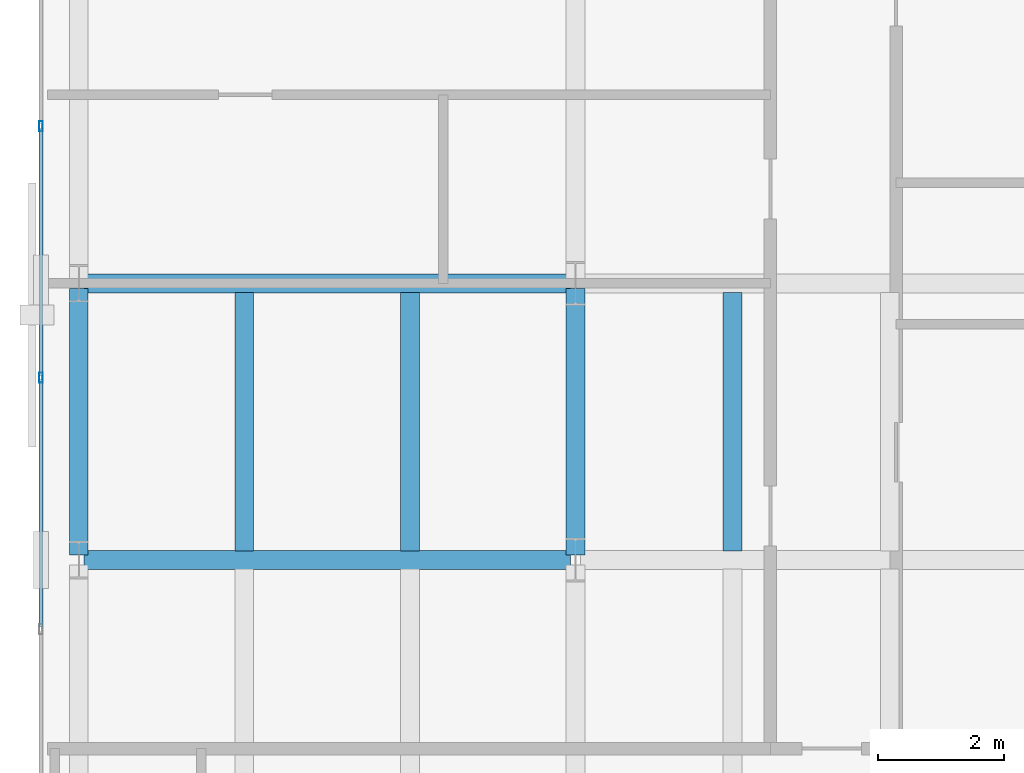
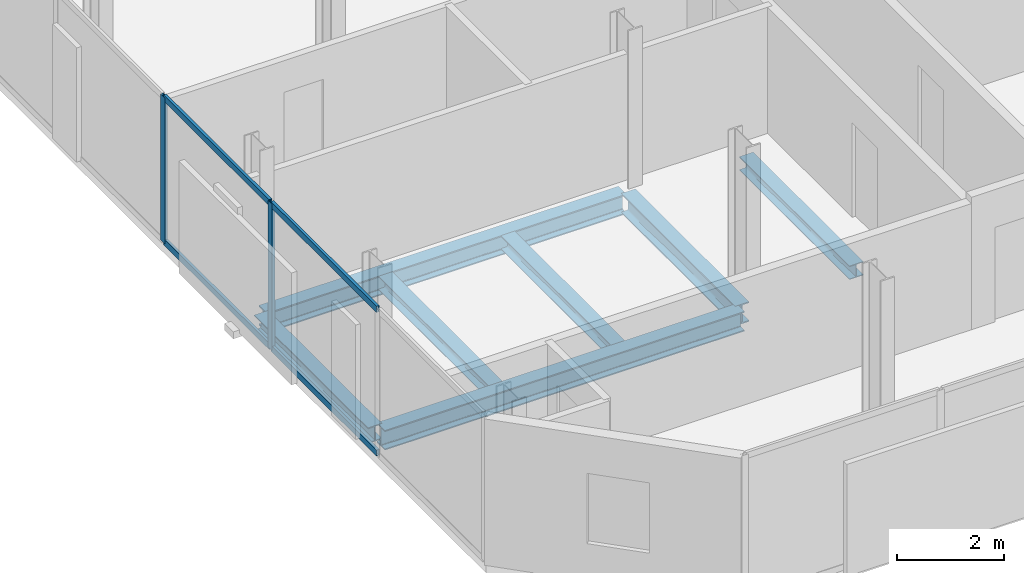
# One storey, part 5 of 33: 7 beams, 6 members, 1 element without a shape of its own.
"""IFC4 building model written with IfcOpenShell, lengths in metres."""

import ifcopenshell
import ifcopenshell.guid

model = None  # the IFC model being written
_history = None  # IfcOwnerHistory: only IFC2X3 demands one
_inside = {}  # id of a spatial element -> (the spatial element, [elements in it])
_under = {}  # id of a project, library or spatial element -> (it, [spatial elements below it])
_declared = {}  # id of a project -> (the project, [libraries it declares])
_typed = {}  # id of a type object -> (the type object, [elements of that type])
_made_of = {}  # id of a material, layer set ... -> (it, [elements and type objects made of it])


def new_model(schema):
    """Start an empty IFC model of exactly this schema.

    Asked for "IFC4X3", IfcOpenShell would pick the latest addendum, in which some entities
    have other attributes; the version numbers below select the first issue.
    IFC2X3 requires an IfcOwnerHistory on every rooted entity: one is made here for all.
    """
    global model, _history
    if schema == "IFC4X3":
        model = ifcopenshell.file(schema_version=(4, 3, 0, 0))
    else:
        model = ifcopenshell.file(schema=schema)
    _inside.clear()
    _under.clear()
    _declared.clear()
    _typed.clear()
    _made_of.clear()
    _history = None
    if model.schema == "IFC2X3":
        org = make("IfcOrganization", Name="unknown")
        user = make(
            "IfcPersonAndOrganization",
            ThePerson=make("IfcPerson", FamilyName="unknown"),
            TheOrganization=org,
        )
        app = make(
            "IfcApplication",
            ApplicationDeveloper=org,
            Version="unknown",
            ApplicationFullName="unknown",
            ApplicationIdentifier="unknown",
        )
        _history = make(
            "IfcOwnerHistory",
            OwningUser=user,
            OwningApplication=app,
            ChangeAction="ADDED",
            CreationDate=0,
        )
    return model


def make(cls, **values):
    """One entity of the class cls with the attributes given. An attribute that is None is left unset."""
    return model.create_entity(
        cls, **{name: value for name, value in values.items() if value is not None}
    )


def rooted(cls, **values):
    """An entity with a GlobalId (a new one), such as an element, a storey or a relation."""
    return make(cls, GlobalId=ifcopenshell.guid.new(), OwnerHistory=_history, **values)


def si_unit(unit_type, name, prefix=None):
    """IfcSIUnit, for example si_unit("LENGTHUNIT", "METRE", prefix="MILLI")."""
    return make("IfcSIUnit", UnitType=unit_type, Prefix=prefix, Name=name)


def assignment(units):
    """IfcUnitAssignment: the units of a project."""
    return None if units is None else make("IfcUnitAssignment", Units=units)


def point(xyz):
    """IfcCartesianPoint."""
    return None if xyz is None else make("IfcCartesianPoint", Coordinates=xyz)


def direction(xyz):
    """IfcDirection."""
    return None if xyz is None else make("IfcDirection", DirectionRatios=xyz)


def frame(location, z_axis=None, x_axis=None):
    """IfcAxis2Placement3D, a coordinate frame: its origin and axes. An axis left out is left unset."""
    return make(
        "IfcAxis2Placement3D",
        Location=point(location),
        Axis=direction(z_axis),
        RefDirection=direction(x_axis),
    )


def frame_2d(location, x_axis=None):
    """IfcAxis2Placement2D, a coordinate frame in the plane: its origin and x axis."""
    return make(
        "IfcAxis2Placement2D", Location=point(location), RefDirection=direction(x_axis)
    )


def origin():
    """The frame at (0, 0, 0) with its axes left unset."""
    return frame((0.0, 0.0, 0.0))


def origin_2d():
    """The frame at (0, 0) in the plane with its x axis left unset."""
    return frame_2d((0.0, 0.0))


def place(relative_to, where):
    """IfcLocalPlacement: puts the frame where relative to a parent placement (None: the world)."""
    return make(
        "IfcLocalPlacement", PlacementRelTo=relative_to, RelativePlacement=where
    )


def context(
    kind, dimensions, precision=None, world=None, true_north=None, identifier=None
):
    """IfcGeometricRepresentationContext, for example the 3D "Model" context."""
    return make(
        "IfcGeometricRepresentationContext",
        ContextIdentifier=identifier,
        ContextType=kind,
        CoordinateSpaceDimension=dimensions,
        Precision=precision,
        WorldCoordinateSystem=world,
        TrueNorth=true_north,
    )


def subcontext(parent, identifier, kind, view, scale=None):
    """IfcGeometricRepresentationSubContext, for example "Body" below "Model"."""
    return make(
        "IfcGeometricRepresentationSubContext",
        ContextIdentifier=identifier,
        ContextType=kind,
        ParentContext=parent,
        TargetScale=scale,
        TargetView=view,
    )


def project(units=None, contexts=None):
    """IfcProject with its units and contexts."""
    return rooted(
        "IfcProject",
        Name="project",
        RepresentationContexts=contexts,
        UnitsInContext=assignment(units),
    )


def spatial(cls, under=None, at=None, **own):
    """A site, building, storey or space (cls), placed at a placement, below another one or the project."""
    s = rooted(cls, ObjectPlacement=at, **own)
    if under is not None:
        _under.setdefault(under.id(), (under, []))[1].append(s)
    return s


def profile(cls, at=None, kind="AREA", **sizes):
    """A parametric profile (cls). Its sizes go by their IFC names, for example OverallWidth=200.0."""
    return make(cls, ProfileType=kind, Position=at, **sizes)


def hollow_rectangle(**sizes):
    """IfcRectangleHollowProfileDef."""
    return profile("IfcRectangleHollowProfileDef", **sizes)


def i_section(**sizes):
    """IfcIShapeProfileDef."""
    return profile("IfcIShapeProfileDef", **sizes)


def extrude(swept, where, along, depth):
    """IfcExtrudedAreaSolid: the profile swept, set in the frame where, extruded along a direction by depth."""
    return make(
        "IfcExtrudedAreaSolid",
        SweptArea=swept,
        Position=where,
        ExtrudedDirection=direction(along),
        Depth=depth,
    )


def shape(context_of_items, identifier, shape_type, items):
    """IfcShapeRepresentation: the items that make up one representation, for example the "Body"."""
    return make(
        "IfcShapeRepresentation",
        ContextOfItems=context_of_items,
        RepresentationIdentifier=identifier,
        RepresentationType=shape_type,
        Items=items,
    )


def material(Name=None, Category=None):
    """IfcMaterial."""
    return make("IfcMaterial", Name=Name, Category=Category)


def layer(
    of_material, thickness, ventilated=None, Name=None, Category=None, Priority=None
):
    """IfcMaterialLayer: one layer of a wall or slab, of a material (None: an air gap)."""
    return make(
        "IfcMaterialLayer",
        Material=of_material,
        LayerThickness=thickness,
        IsVentilated=ventilated,
        Name=Name,
        Category=Category,
        Priority=Priority,
    )


def layer_set(layers, Name=None):
    """IfcMaterialLayerSet."""
    return make("IfcMaterialLayerSet", MaterialLayers=layers, LayerSetName=Name)


def material_profile(
    of_material, cross_section, Name=None, Category=None, Priority=None
):
    """IfcMaterialProfile: a cross section and its material."""
    return make(
        "IfcMaterialProfile",
        Name=Name,
        Material=of_material,
        Profile=cross_section,
        Priority=Priority,
        Category=Category,
    )


def profile_set(profiles, Name=None, composite=None):
    """IfcMaterialProfileSet."""
    return make(
        "IfcMaterialProfileSet",
        Name=Name,
        MaterialProfiles=profiles,
        CompositeProfile=composite,
    )


def made_of(thing, what):
    """Note that an element or type object is made of a material, layer set ...; save() writes the relation."""
    if what is not None:
        _made_of.setdefault(what.id(), (what, []))[1].append(thing)
    return thing


def type_object(cls, material=None, **own):
    """A type object (cls), such as IfcWallType, which elements share."""
    return made_of(rooted(cls, **own), material)


def element(
    cls,
    number,
    at=None,
    inside=None,
    cuts=None,
    type_object=None,
    material=None,
    context=None,
    identifier="Body",
    shape_type=None,
    held_by="IfcProductDefinitionShape",
    body=None,
    shapes=None,
    **own,
):
    """One element of the class cls, such as IfcWall. Its Tag is "e" and its number.

    at: its placement. inside: the storey or other place that contains it. cuts: it is an
    opening in that element (IfcRelVoidsElement). A single representation is given by context,
    identifier, shape_type and body (its items); several are given by shapes. held_by: the class
    of the entity that holds the representations. save() writes the other relations.
    """
    e = rooted(cls, Tag="e%d" % number, ObjectPlacement=at, **own)
    if body is not None:
        shapes = [shape(context, identifier, shape_type, body)]
    if shapes is not None:
        e.Representation = make(held_by, Representations=shapes)
    if inside is not None:
        _inside.setdefault(inside.id(), (inside, []))[1].append(e)
    if cuts is not None:
        rooted(
            "IfcRelVoidsElement", RelatingBuildingElement=cuts, RelatedOpeningElement=e
        )
    if type_object is not None:
        _typed.setdefault(type_object.id(), (type_object, []))[1].append(e)
    return made_of(e, material)


def aggregate(whole, parts):
    """IfcRelAggregates: a whole, such as a stair, and the parts it consists of."""
    return rooted("IfcRelAggregates", RelatingObject=whole, RelatedObjects=parts)


def save(model, path):
    """Write the relations noted so far, then the file.

    IfcRelAggregates (storeys below a building ...), IfcRelContainedInSpatialStructure (elements
    in a storey), IfcRelDefinesByType, IfcRelAssociatesMaterial and IfcRelDeclares: one each for
    every whole, place, type object, material and project.
    """
    for whole, parts in _under.values():
        aggregate(whole, parts)
    for where, things in _inside.values():
        rooted(
            "IfcRelContainedInSpatialStructure",
            RelatedElements=things,
            RelatingStructure=where,
        )
    for kind, things in _typed.values():
        rooted("IfcRelDefinesByType", RelatedObjects=things, RelatingType=kind)
    for what, things in _made_of.values():
        rooted("IfcRelAssociatesMaterial", RelatedObjects=things, RelatingMaterial=what)
    for by, libraries in _declared.values():
        rooted("IfcRelDeclares", RelatingContext=by, RelatedDefinitions=libraries)
    model.write(path)


model = new_model("IFC4")

# Units and contexts
model_context = context("Model", 3, precision=1e-05, world=origin(), true_north=direction((0.0, 1.0)))
body_context = subcontext(model_context, "Body", "Model", "MODEL_VIEW")
ifc_project = project(units=[si_unit("LENGTHUNIT", "METRE"), si_unit("AREAUNIT", "SQUARE_METRE"), si_unit("VOLUMEUNIT", "CUBIC_METRE"), si_unit("PLANEANGLEUNIT", "RADIAN"), si_unit("MASSUNIT", "GRAM", prefix="KILO")], contexts=[model_context])

# Site, building, storey
site_placement = place(None, origin())
site = spatial("IfcSite", under=ifc_project, at=site_placement, CompositionType="ELEMENT")
building_placement = place(site_placement, origin())
building = spatial("IfcBuilding", under=site, at=building_placement, Name="Catumbela Crestline Tower", CompositionType="ELEMENT")
storey_placement = place(building_placement, frame((0.0, 0.0, 118.8)))
storey = spatial("IfcBuildingStorey", under=building, at=storey_placement, Name="L30", CompositionType="ELEMENT", Elevation=118.8)

# Beams
ifc_material_1 = material(Name="Structural steel S355J2", Category="steel")
ifc_material_profile_1 = material_profile(ifc_material_1, i_section(OverallWidth=0.3, OverallDepth=0.45, WebThickness=0.014, FlangeThickness=0.026, FilletRadius=0.027, at=origin_2d()), Name="HEB 450")
ifc_profile_set_1 = profile_set([ifc_material_profile_1], Name="Structural steel S355J2")
beam_type_1 = type_object("IfcBeamType", Name="BG-HEB450", PredefinedType="BEAM", material=ifc_profile_set_1)
for number, where, z_axis, x_axis, name in (
    (1, (0.68, 13.6, -0.485), (1.0, 0.0, 0.0), (0.0, 1.0, 0.0), "L30 Beam BM-L30-WEW46"),
    (2, (0.68, 18.0, -0.485), (1.0, 0.0, 0.0), (0.0, 1.0, 0.0), "L30 Beam BM-L30-WEW49"),
):
    element("IfcBeam", number, at=place(storey_placement, frame(where, z_axis=z_axis, x_axis=x_axis)), inside=storey, type_object=beam_type_1, Name=name, PredefinedType="BEAM", context=body_context, shape_type="SweptSolid", body=[
        extrude(i_section(OverallWidth=0.3, OverallDepth=0.45, WebThickness=0.014, FlangeThickness=0.026, FilletRadius=0.027, at=origin_2d()), origin(), (0.0, 0.0, 1.0), 7.74),
    ])
beam_1_placement = place(storey_placement, frame((8.5, 13.68, -0.485), z_axis=(0.0, 1.0, 0.0), x_axis=(-1.0, 0.0, 0.0)))
element("IfcBeam", 3, at=beam_1_placement, inside=storey, type_object=beam_type_1, Name="L30 Beam BM-L30-WNS56", PredefinedType="BEAM", context=body_context, shape_type="SweptSolid", body=[
    extrude(i_section(OverallWidth=0.3, OverallDepth=0.45, WebThickness=0.014, FlangeThickness=0.026, FilletRadius=0.027, at=origin_2d()), origin(), (0.0, 0.0, 1.0), 4.24),
])
ifc_material_profile_2 = material_profile(ifc_material_1, i_section(OverallWidth=0.3, OverallDepth=0.31, WebThickness=0.009, FlangeThickness=0.0155, FilletRadius=0.027, at=origin_2d()), Name="HEA 320")
ifc_profile_set_2 = profile_set([ifc_material_profile_2], Name="Structural steel S355J2")
beam_type_2 = type_object("IfcBeamType", Name="BJ-HEA320", PredefinedType="JOIST", material=ifc_profile_set_2)
for number, where, z_axis, x_axis, name in (
    (4, (3.233, 13.747, -0.415), (0.0, 1.0, 0.0), (-1.0, 0.0, 0.0), "L30 Joist JS-L30-WG69"),
    (5, (5.867, 13.747, -0.415), (0.0, 1.0, 0.0), (-1.0, 0.0, 0.0), "L30 Joist JS-L30-WG70"),
    (6, (11.0, 13.747, -0.415), (0.0, 1.0, 0.0), (-1.0, 0.0, 0.0), "L30 Joist JS-L30-WG71"),
):
    element("IfcBeam", number, at=place(storey_placement, frame(where, z_axis=z_axis, x_axis=x_axis)), inside=storey, type_object=beam_type_2, Name=name, PredefinedType="JOIST", context=body_context, shape_type="SweptSolid", body=[
        extrude(i_section(OverallWidth=0.3, OverallDepth=0.31, WebThickness=0.009, FlangeThickness=0.0155, FilletRadius=0.027, at=origin_2d()), origin(), (0.0, 0.0, 1.0), 4.106),
    ])

# Curtain wall, members
ifc_material_2 = material(Name="Aluminium alloy AW-6060-T66", Category="aluminium")
ifc_layer = layer(ifc_material_2, 0.18, Name="Aluminium alloy AW-6060-T66")
ifc_layer_set = layer_set([ifc_layer], Name="Aluminium alloy AW-6060-T66")
curtain_wall_type = type_object("IfcCurtainWallType", Name="CWU-Z2", PredefinedType="USERDEFINED", material=ifc_layer_set)
curtain_wall_placement = place(storey_placement, origin())
curtain_wall = element("IfcCurtainWall", 7, at=curtain_wall_placement, inside=storey, type_object=curtain_wall_type, Name="L30 Unitised Curtain Wall CW-L30-E9S1", ObjectType="UNITISED", PredefinedType="USERDEFINED")
ifc_material_profile_3 = material_profile(ifc_material_2, hollow_rectangle(XDim=0.06, YDim=0.16, WallThickness=0.004, at=origin_2d()), Name="ALU 160x60x4")
ifc_profile_set_3 = profile_set([ifc_material_profile_3], Name="Aluminium alloy AW-6060-T66")
member_type_1 = type_object("IfcMemberType", Name="MUL-160X60", PredefinedType="MULLION", material=ifc_profile_set_3)
member_1_placement = place(storey_placement, frame((0.0, 20.5, 0.0), z_axis=(0.0, 0.0, 1.0), x_axis=(1.0, 0.0, 0.0)))
member_1 = element("IfcMember", 8, at=member_1_placement, type_object=member_type_1, Name="CWU-Z2 mullion 7", PredefinedType="MULLION", context=body_context, shape_type="SweptSolid", body=[
    extrude(hollow_rectangle(XDim=0.06, YDim=0.16, WallThickness=0.004, at=origin_2d()), origin(), (0.0, 0.0, 1.0), 3.33),
])
member_2_placement = place(storey_placement, frame((0.0, 16.5, 0.0), z_axis=(0.0, 0.0, 1.0), x_axis=(1.0, 0.0, 0.0)))
member_2 = element("IfcMember", 9, at=member_2_placement, type_object=member_type_1, Name="CWU-Z2 mullion 8", PredefinedType="MULLION", context=body_context, shape_type="SweptSolid", body=[
    extrude(hollow_rectangle(XDim=0.06, YDim=0.16, WallThickness=0.004, at=origin_2d()), origin(), (0.0, 0.0, 1.0), 3.33),
])

# Beam
ifc_material_profile_4 = material_profile(ifc_material_1, i_section(OverallWidth=0.3, OverallDepth=0.36, WebThickness=0.0125, FlangeThickness=0.0225, FilletRadius=0.027, at=origin_2d()), Name="HEB 360")
ifc_profile_set_4 = profile_set([ifc_material_profile_4], Name="Structural steel S355J2")
beam_type_3 = type_object("IfcBeamType", Name="BS-HEB360", PredefinedType="SPANDREL", material=ifc_profile_set_4)
beam_2_placement = place(storey_placement, frame((0.6, 13.68, -0.44), z_axis=(0.0, 1.0, 0.0), x_axis=(-1.0, 0.0, 0.0)))
element("IfcBeam", 10, at=beam_2_placement, inside=storey, type_object=beam_type_3, Name="L30 Spandrel SP-L30-WNS53", PredefinedType="SPANDREL", context=body_context, shape_type="SweptSolid", body=[
    extrude(i_section(OverallWidth=0.3, OverallDepth=0.36, WebThickness=0.0125, FlangeThickness=0.0225, FilletRadius=0.027, at=origin_2d()), origin(), (0.0, 0.0, 1.0), 4.24),
])

# Member
ifc_material_profile_5 = material_profile(ifc_material_2, hollow_rectangle(XDim=0.06, YDim=0.14, WallThickness=0.004, at=origin_2d()), Name="ALU 140x60x4")
ifc_profile_set_5 = profile_set([ifc_material_profile_5], Name="Aluminium alloy AW-6060-T66")
member_type_2 = type_object("IfcMemberType", Name="TRN-140X60", PredefinedType="USERDEFINED", material=ifc_profile_set_5)
member_3_placement = place(storey_placement, frame((0.0, 20.4675, 0.03), z_axis=(0.0, -1.0, 0.0), x_axis=(1.0, 0.0, 0.0)))
member_3 = element("IfcMember", 11, at=member_3_placement, type_object=member_type_2, Name="CWU-Z2 transom 7.1", ObjectType="TRANSOM", PredefinedType="USERDEFINED", context=body_context, shape_type="SweptSolid", body=[
    extrude(hollow_rectangle(XDim=0.06, YDim=0.14, WallThickness=0.004, at=origin_2d()), origin(), (0.0, 0.0, 1.0), 3.935),
])

member_4_placement = place(storey_placement, frame((0.0, 20.4675, 3.3), z_axis=(0.0, -1.0, 0.0), x_axis=(1.0, 0.0, 0.0)))
member_4 = element("IfcMember", 12, at=member_4_placement, type_object=member_type_2, Name="CWU-Z2 transom 7.2", ObjectType="TRANSOM", PredefinedType="USERDEFINED", context=body_context, shape_type="SweptSolid", body=[
    extrude(hollow_rectangle(XDim=0.06, YDim=0.14, WallThickness=0.004, at=origin_2d()), origin(), (0.0, 0.0, 1.0), 3.935),
])

member_5_placement = place(storey_placement, frame((0.0, 16.4675, 0.03), z_axis=(0.0, -1.0, 0.0), x_axis=(1.0, 0.0, 0.0)))
member_5 = element("IfcMember", 13, at=member_5_placement, type_object=member_type_2, Name="CWU-Z2 transom 8.1", ObjectType="TRANSOM", PredefinedType="USERDEFINED", context=body_context, shape_type="SweptSolid", body=[
    extrude(hollow_rectangle(XDim=0.06, YDim=0.14, WallThickness=0.004, at=origin_2d()), origin(), (0.0, 0.0, 1.0), 3.935),
])

member_6_placement = place(storey_placement, frame((0.0, 16.4675, 3.3), z_axis=(0.0, -1.0, 0.0), x_axis=(1.0, 0.0, 0.0)))
member_6 = element("IfcMember", 14, at=member_6_placement, type_object=member_type_2, Name="CWU-Z2 transom 8.2", ObjectType="TRANSOM", PredefinedType="USERDEFINED", context=body_context, shape_type="SweptSolid", body=[
    extrude(hollow_rectangle(XDim=0.06, YDim=0.14, WallThickness=0.004, at=origin_2d()), origin(), (0.0, 0.0, 1.0), 3.935),
])

aggregate(curtain_wall, [member_1, member_2, member_3, member_4, member_5, member_6])

save(model, "model.ifc")
